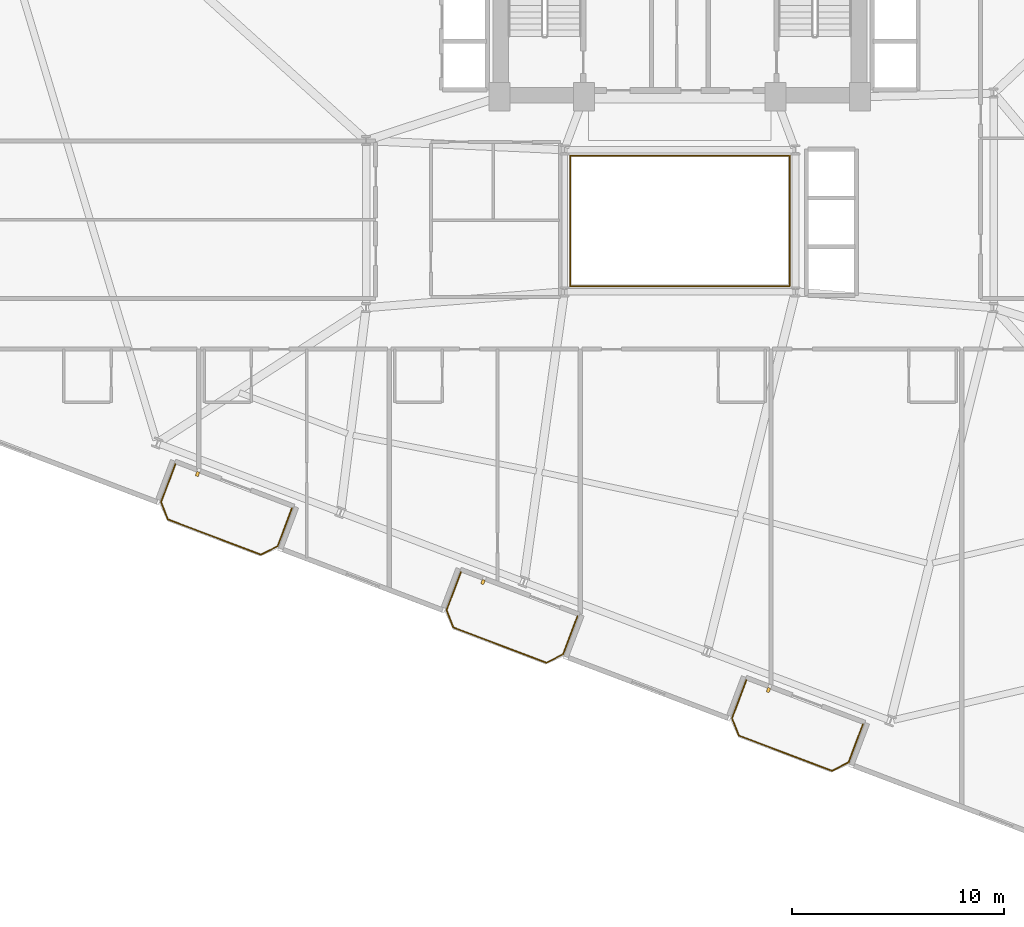
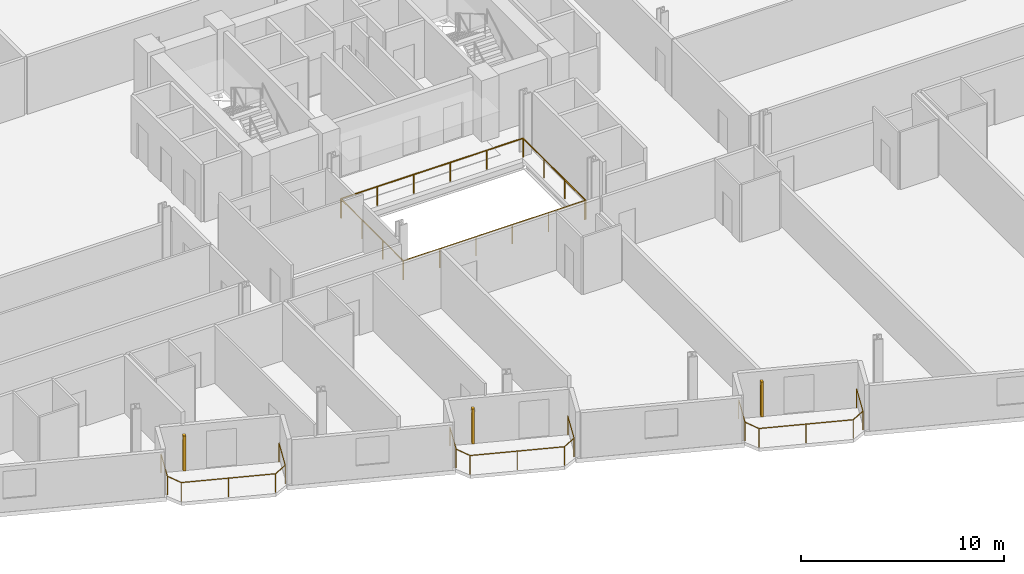
# One storey, part 23 of 25: 5 railings, 3 shading devices.
"""IFC4 building model written with IfcOpenShell, lengths in metres."""

from ifc_helpers import new_model, si_unit, direction, frame, origin, origin_2d, place, context, subcontext, project, spatial, rectangle, circle, extrude, source, transform, mapped, material, type_object, element, save


model = new_model("IFC4")

# Units and contexts
model_context = context("Model", 3, precision=1e-05, world=origin(), true_north=direction((0.0, 1.0)))
body_context = subcontext(model_context, "Body", "Model", "MODEL_VIEW")
ifc_project = project(units=[si_unit("LENGTHUNIT", "METRE"), si_unit("AREAUNIT", "SQUARE_METRE"), si_unit("VOLUMEUNIT", "CUBIC_METRE"), si_unit("PLANEANGLEUNIT", "RADIAN"), si_unit("MASSUNIT", "GRAM", prefix="KILO")], contexts=[model_context])

# Site, building, storey
site_placement = place(None, origin())
site = spatial("IfcSite", under=ifc_project, at=site_placement, CompositionType="ELEMENT")
building_placement = place(site_placement, origin())
building = spatial("IfcBuilding", under=site, at=building_placement, Name="Varnelok Gate Tower", CompositionType="ELEMENT")
storey_placement = place(building_placement, frame((0.0, 0.0, 83.60009765625)))
storey = spatial("IfcBuildingStorey", under=building, at=storey_placement, Name="L20", CompositionType="ELEMENT", Elevation=83.60009765625)

# Railings
ifc_material_1 = material(Name="Tempered Laminated Balustrade Glass", Category="glass")
railing_type_1 = type_object("IfcRailingType", Name="RL-ATR-GUARD1150", PredefinedType="GUARDRAIL", material=ifc_material_1)
railing_1_placement = place(storey_placement, frame((34.02001953125, 25.929931640625, 0.0)))
element("IfcRailing", 1, at=railing_1_placement, inside=storey, type_object=railing_type_1, Name="L20 Internal Atrium South-West Guardrail", PredefinedType="GUARDRAIL", context=body_context, shape_type="SweptSolid", body=[
    extrude(circle(Radius=0.02392578125, at=origin_2d()), frame((0.0, 0.0, 1.1259765625), z_axis=(0.0, -1.0, 0.0), x_axis=(1.0, 0.0, 0.0)), (0.0, 0.0, 1.0), 6.10986328125),
    extrude(circle(Radius=0.02392578125, at=origin_2d()), frame((0.0, -6.10986328125, 1.1259765625), z_axis=(1.0, 0.0, 0.0), x_axis=(0.0, 1.0, 0.0)), (0.0, 0.0, 1.0), 10.31005859375),
    extrude(circle(Radius=0.02099609375, at=origin_2d()), origin(), (0.0, 0.0, 1.0), 1.101806640625),
    extrude(circle(Radius=0.02099609375, at=origin_2d()), frame((0.0, -2.03662109375, 0.0)), (0.0, 0.0, 1.0), 1.101806640625),
    extrude(circle(Radius=0.02099609375, at=origin_2d()), frame((0.0, -4.0732421875, 0.0)), (0.0, 0.0, 1.0), 1.101806640625),
    extrude(circle(Radius=0.02099609375, at=origin_2d()), frame((0.0, -6.10986328125, 0.0)), (0.0, 0.0, 1.0), 1.101806640625),
    extrude(circle(Radius=0.02099609375, at=origin_2d()), frame((2.06201171875, -6.10986328125, 0.0)), (0.0, 0.0, 1.0), 1.101806640625),
    extrude(circle(Radius=0.02099609375, at=origin_2d()), frame((4.1240234375, -6.10986328125, 0.0)), (0.0, 0.0, 1.0), 1.101806640625),
    extrude(circle(Radius=0.02099609375, at=origin_2d()), frame((6.18603515625, -6.10986328125, 0.0)), (0.0, 0.0, 1.0), 1.101806640625),
    extrude(circle(Radius=0.02099609375, at=origin_2d()), frame((8.248046875, -6.10986328125, 0.0)), (0.0, 0.0, 1.0), 1.101806640625),
    extrude(circle(Radius=0.02099609375, at=origin_2d()), frame((10.31005859375, -6.10986328125, 0.0)), (0.0, 0.0, 1.0), 1.101806640625),
])
railing_2_placement = place(storey_placement, frame((44.3798828125, 19.820068359375, 0.0)))
element("IfcRailing", 2, at=railing_2_placement, inside=storey, type_object=railing_type_1, Name="L20 Internal Atrium North-East Guardrail", PredefinedType="GUARDRAIL", context=body_context, shape_type="SweptSolid", body=[
    extrude(circle(Radius=0.02392578125, at=origin_2d()), frame((0.0, 0.0, 1.1259765625), z_axis=(0.0, 1.0, 0.0), x_axis=(-1.0, 0.0, 0.0)), (0.0, 0.0, 1.0), 6.159912109375),
    extrude(circle(Radius=0.02392578125, at=origin_2d()), frame((0.0, 6.159912109375, 1.1259765625), z_axis=(-1.0, 0.0, 0.0), x_axis=(0.0, -1.0, 0.0)), (0.0, 0.0, 1.0), 10.35986328125),
    extrude(circle(Radius=0.02099609375, at=origin_2d()), origin(), (0.0, 0.0, 1.0), 1.101806640625),
    extrude(circle(Radius=0.02099609375, at=origin_2d()), frame((0.0, 2.05322265625, 0.0)), (0.0, 0.0, 1.0), 1.101806640625),
    extrude(circle(Radius=0.02099609375, at=origin_2d()), frame((0.0, 4.106689453125, 0.0)), (0.0, 0.0, 1.0), 1.101806640625),
    extrude(circle(Radius=0.02099609375, at=origin_2d()), frame((0.0, 6.159912109375, 0.0)), (0.0, 0.0, 1.0), 1.101806640625),
    extrude(circle(Radius=0.02099609375, at=origin_2d()), frame((-2.072021484375, 6.159912109375, 0.0)), (0.0, 0.0, 1.0), 1.101806640625),
    extrude(circle(Radius=0.02099609375, at=origin_2d()), frame((-4.14404296875, 6.159912109375, 0.0)), (0.0, 0.0, 1.0), 1.101806640625),
    extrude(circle(Radius=0.02099609375, at=origin_2d()), frame((-6.2158203125, 6.159912109375, 0.0)), (0.0, 0.0, 1.0), 1.101806640625),
    extrude(circle(Radius=0.02099609375, at=origin_2d()), frame((-8.287841796875, 6.159912109375, 0.0)), (0.0, 0.0, 1.0), 1.101806640625),
    extrude(circle(Radius=0.02099609375, at=origin_2d()), frame((-10.35986328125, 6.159912109375, 0.0)), (0.0, 0.0, 1.0), 1.101806640625),
])
ifc_material_2 = material(Name="Low-E Laminated Double Glazing IGU", Category="glass")
railing_type_2 = type_object("IfcRailingType", Name="RL-BALC-1150", PredefinedType="BALUSTRADE", material=ifc_material_2)
railing_3_placement = place(storey_placement, frame((15.40625, 11.42578125, 0.0)))
element("IfcRailing", 3, at=railing_3_placement, inside=storey, type_object=railing_type_2, Name="L20 South Terrace Balustrade 1", PredefinedType="BALUSTRADE", context=body_context, shape_type="SweptSolid", body=[
    extrude(circle(Radius=0.02392578125, at=origin_2d()), frame((0.0, 0.0, 1.1259765625), z_axis=(-0.354006333352, -0.935243025073, 0.0), x_axis=(0.935243025073, -0.354006333352, 0.0)), (0.0, 0.0, 1.0), 1.919921875),
    extrude(circle(Radius=0.02392578125, at=origin_2d()), frame((-0.6796875, -1.795654296875, 1.1259765625), z_axis=(0.366254584666, -0.930514685113, 0.0), x_axis=(0.930514685113, 0.366254584666, 0.0)), (0.0, 0.0, 1.0), 0.8779296875),
    extrude(circle(Radius=0.02392578125, at=origin_2d()), frame((-0.358154296875, -2.612548828125, 1.1259765625), z_axis=(0.935223045203, -0.354059113314, 0.0), x_axis=(0.354059113314, 0.935223045203, 0.0)), (0.0, 0.0, 1.0), 4.699951171875),
    extrude(circle(Radius=0.02392578125, at=origin_2d()), frame((4.037353515625, -4.276611328125, 1.1259765625), z_axis=(0.89078254773, 0.454429810487, 0.0), x_axis=(-0.454429810487, 0.89078254773, 0.0)), (0.0, 0.0, 1.0), 0.8779296875),
    extrude(circle(Radius=0.02392578125, at=origin_2d()), frame((4.8193359375, -3.877685546875, 1.1259765625), z_axis=(0.354117547856, 0.935200920819, 0.0), x_axis=(-0.935200920819, 0.354117547856, 0.0)), (0.0, 0.0, 1.0), 1.920166015625),
    extrude(circle(Radius=0.02099609375, at=origin_2d()), origin(), (0.0, 0.0, 1.0), 1.101806640625),
    extrude(circle(Radius=0.02099609375, at=origin_2d()), frame((-0.6796875, -1.795654296875, 0.0)), (0.0, 0.0, 1.0), 1.101806640625),
    extrude(circle(Radius=0.02099609375, at=origin_2d()), frame((-0.358154296875, -2.612548828125, 0.0)), (0.0, 0.0, 1.0), 1.101806640625),
    extrude(circle(Radius=0.02099609375, at=origin_2d()), frame((1.839599609375, -3.444580078125, 0.0)), (0.0, 0.0, 1.0), 1.101806640625),
    extrude(circle(Radius=0.02099609375, at=origin_2d()), frame((4.037353515625, -4.276611328125, 0.0)), (0.0, 0.0, 1.0), 1.101806640625),
    extrude(circle(Radius=0.02099609375, at=origin_2d()), frame((4.8193359375, -3.877685546875, 0.0)), (0.0, 0.0, 1.0), 1.101806640625),
    extrude(circle(Radius=0.02099609375, at=origin_2d()), frame((5.499267578125, -2.08203125, 0.0)), (0.0, 0.0, 1.0), 1.101806640625),
])
railing_4_placement = place(storey_placement, frame((28.87353515625, 6.3271484375, 0.0)))
element("IfcRailing", 4, at=railing_4_placement, inside=storey, type_object=railing_type_2, Name="L20 South Terrace Balustrade 2", PredefinedType="BALUSTRADE", context=body_context, shape_type="SweptSolid", body=[
    extrude(circle(Radius=0.02392578125, at=origin_2d()), frame((0.0, 0.0, 1.1259765625), z_axis=(-0.354117547856, -0.935200920819, 0.0), x_axis=(0.935200920819, -0.354117547856, 0.0)), (0.0, 0.0, 1.0), 1.920166015625),
    extrude(circle(Radius=0.02392578125, at=origin_2d()), frame((-0.679931640625, -1.795654296875, 1.1259765625), z_axis=(0.36659018357, -0.930382522036, 0.0), x_axis=(0.930382522036, 0.36659018357, 0.0)), (0.0, 0.0, 1.0), 0.877685546875),
    extrude(circle(Radius=0.02392578125, at=origin_2d()), frame((-0.358154296875, -2.6123046875, 1.1259765625), z_axis=(0.935223045203, -0.354059113314, 0.0), x_axis=(0.354059113314, 0.935223045203, 0.0)), (0.0, 0.0, 1.0), 4.699951171875),
    extrude(circle(Radius=0.02392578125, at=origin_2d()), frame((4.037353515625, -4.2763671875, 1.1259765625), z_axis=(0.89078254773, 0.454429810487, 0.0), x_axis=(-0.454429810487, 0.89078254773, 0.0)), (0.0, 0.0, 1.0), 0.8779296875),
    extrude(circle(Radius=0.02392578125, at=origin_2d()), frame((4.8193359375, -3.87744140625, 1.1259765625), z_axis=(0.354006333352, 0.935243025073, 0.0), x_axis=(-0.935243025073, 0.354006333352, 0.0)), (0.0, 0.0, 1.0), 1.919921875),
    extrude(circle(Radius=0.02099609375, at=origin_2d()), origin(), (0.0, 0.0, 1.0), 1.101806640625),
    extrude(circle(Radius=0.02099609375, at=origin_2d()), frame((-0.679931640625, -1.795654296875, 0.0)), (0.0, 0.0, 1.0), 1.101806640625),
    extrude(circle(Radius=0.02099609375, at=origin_2d()), frame((-0.358154296875, -2.6123046875, 0.0)), (0.0, 0.0, 1.0), 1.101806640625),
    extrude(circle(Radius=0.02099609375, at=origin_2d()), frame((1.839599609375, -3.4443359375, 0.0)), (0.0, 0.0, 1.0), 1.101806640625),
    extrude(circle(Radius=0.02099609375, at=origin_2d()), frame((4.037353515625, -4.2763671875, 0.0)), (0.0, 0.0, 1.0), 1.101806640625),
    extrude(circle(Radius=0.02099609375, at=origin_2d()), frame((4.8193359375, -3.87744140625, 0.0)), (0.0, 0.0, 1.0), 1.101806640625),
    extrude(circle(Radius=0.02099609375, at=origin_2d()), frame((5.4990234375, -2.081787109375, 0.0)), (0.0, 0.0, 1.0), 1.101806640625),
])
railing_5_placement = place(storey_placement, frame((42.3408203125, 1.228759765625, 0.0)))
element("IfcRailing", 5, at=railing_5_placement, inside=storey, type_object=railing_type_2, Name="L20 South Terrace Balustrade 3", PredefinedType="BALUSTRADE", context=body_context, shape_type="SweptSolid", body=[
    extrude(circle(Radius=0.02392578125, at=origin_2d()), frame((0.0, 0.0, 1.1259765625), z_axis=(-0.354117547856, -0.935200920819, 0.0), x_axis=(0.935200920819, -0.354117547856, 0.0)), (0.0, 0.0, 1.0), 1.920166015625),
    extrude(circle(Radius=0.02392578125, at=origin_2d()), frame((-0.679931640625, -1.795654296875, 1.1259765625), z_axis=(0.366254584666, -0.930514685113, 0.0), x_axis=(0.930514685113, 0.366254584666, 0.0)), (0.0, 0.0, 1.0), 0.8779296875),
    extrude(circle(Radius=0.02392578125, at=origin_2d()), frame((-0.3583984375, -2.612548828125, 1.1259765625), z_axis=(0.935229556479, -0.354041913744, 0.0), x_axis=(0.354041913744, 0.935229556479, 0.0)), (0.0, 0.0, 1.0), 4.7001953125),
    extrude(circle(Radius=0.02392578125, at=origin_2d()), frame((4.037353515625, -4.276611328125, 1.1259765625), z_axis=(0.890612455555, 0.454763074589, 0.0), x_axis=(-0.454763074589, 0.890612455555, 0.0)), (0.0, 0.0, 1.0), 0.877685546875),
    extrude(circle(Radius=0.02392578125, at=origin_2d()), frame((4.819091796875, -3.87744140625, 1.1259765625), z_axis=(0.354159661475, 0.935184973245, 0.0), x_axis=(-0.935184973245, 0.354159661475, 0.0)), (0.0, 0.0, 1.0), 1.919921875),
    extrude(circle(Radius=0.02099609375, at=origin_2d()), origin(), (0.0, 0.0, 1.0), 1.101806640625),
    extrude(circle(Radius=0.02099609375, at=origin_2d()), frame((-0.679931640625, -1.795654296875, 0.0)), (0.0, 0.0, 1.0), 1.101806640625),
    extrude(circle(Radius=0.02099609375, at=origin_2d()), frame((-0.3583984375, -2.612548828125, 0.0)), (0.0, 0.0, 1.0), 1.101806640625),
    extrude(circle(Radius=0.02099609375, at=origin_2d()), frame((1.83935546875, -3.444580078125, 0.0)), (0.0, 0.0, 1.0), 1.101806640625),
    extrude(circle(Radius=0.02099609375, at=origin_2d()), frame((4.037353515625, -4.276611328125, 0.0)), (0.0, 0.0, 1.0), 1.101806640625),
    extrude(circle(Radius=0.02099609375, at=origin_2d()), frame((4.819091796875, -3.87744140625, 0.0)), (0.0, 0.0, 1.0), 1.101806640625),
    extrude(circle(Radius=0.02099609375, at=origin_2d()), frame((5.4990234375, -2.08203125, 0.0)), (0.0, 0.0, 1.0), 1.101806640625),
])

# Shading devices
ifc_material_3 = material(Name="Glazed Architectural Terracotta Ceramic", Category="masonry")
shading_device_type = type_object("IfcShadingDeviceType", Name="SHD-TERRA-BAGUETTE", PredefinedType="USERDEFINED", material=ifc_material_3)
shared_shape = source(origin(), body_context, "Body", "SweptSolid", [
    extrude(rectangle(XDim=0.139892578125, YDim=0.219970703125, at=origin_2d()), origin(), (0.0, 0.0, 1.0), 2.10009765625),
])
for number, where, z_axis, x_axis, name in (
    (6, (16.44775390625, 10.95654296875, 0.099853515625), (0.0, 0.0, 1.0), (0.935221751401, -0.354062530786, 0.0), "L20 Terracotta Ceramic Baguette Sunscreen 1.1"),
    (7, (29.914794921875, 5.858154296875, 0.099853515625), (0.0, 0.0, 1.0), (0.935221751401, -0.354062530786, 0.0), "L20 Terracotta Ceramic Baguette Sunscreen 2.1"),
    (8, (43.382080078125, 0.759521484375, 0.099853515625), (0.0, 0.0, 1.0), (0.935221751401, -0.354062530786, 0.0), "L20 Terracotta Ceramic Baguette Sunscreen 3.1"),
):
    element("IfcShadingDevice", number, at=place(storey_placement, frame(where, z_axis=z_axis, x_axis=x_axis)), inside=storey, type_object=shading_device_type, Name=name, ObjectType="BAGUETTE", PredefinedType="USERDEFINED", context=body_context, shape_type="MappedRepresentation", body=[
        mapped(shared_shape, transform((0.0, 0.0, 0.0), scale=1.0)),
    ])

save(model, "model.ifc")
